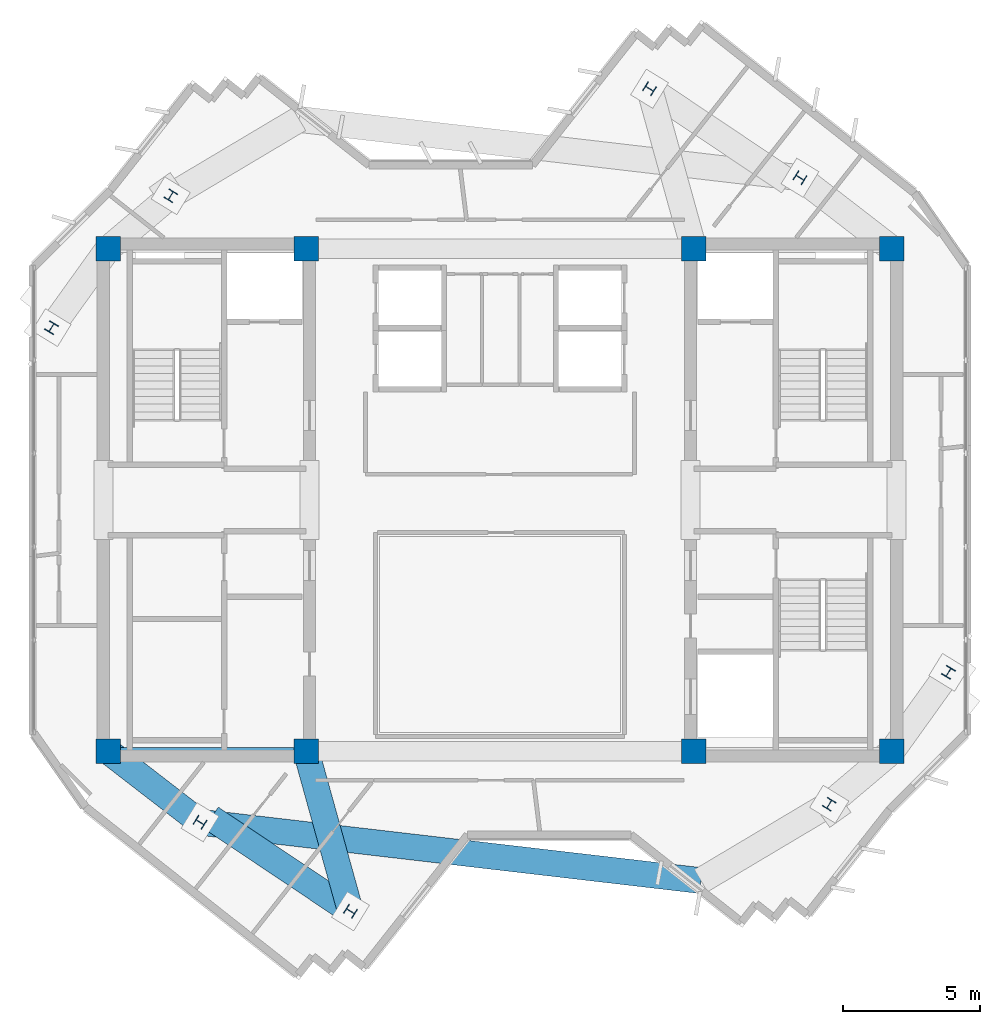
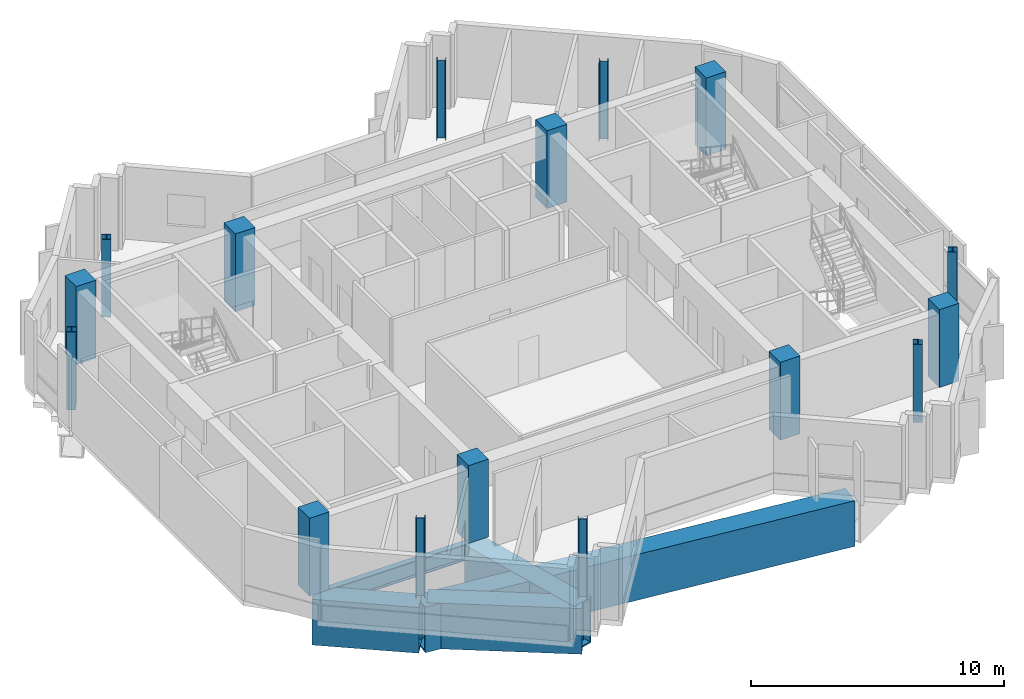
# One storey, part 1 of 10: 16 columns, 5 beams.
"""IFC4 building model written with IfcOpenShell, lengths in metres."""

from ifc_helpers import new_model, si_unit, direction, frame, origin, origin_2d, place, context, subcontext, project, spatial, rectangle, hollow_rectangle, i_section, extrude, source, transform, mapped, material, material_profile, profile_set, type_object, element, save


model = new_model("IFC4")

# Units and contexts
model_context = context("Model", 3, precision=1e-05, world=origin(), true_north=direction((0.0, 1.0)))
body_context = subcontext(model_context, "Body", "Model", "MODEL_VIEW")
ifc_project = project(units=[si_unit("LENGTHUNIT", "METRE"), si_unit("AREAUNIT", "SQUARE_METRE"), si_unit("VOLUMEUNIT", "CUBIC_METRE"), si_unit("PLANEANGLEUNIT", "RADIAN"), si_unit("MASSUNIT", "GRAM", prefix="KILO")], contexts=[model_context])

# Site, building, storey
site_placement = place(None, origin())
site = spatial("IfcSite", under=ifc_project, at=site_placement, CompositionType="ELEMENT")
building_placement = place(site_placement, origin())
building = spatial("IfcBuilding", under=site, at=building_placement, Name="Zahravan Cultural Tower", CompositionType="ELEMENT")
storey_placement = place(building_placement, frame((0.0, 0.0, 319.800048828125)))
storey = spatial("IfcBuildingStorey", under=building, at=storey_placement, Name="L77", CompositionType="ELEMENT", Elevation=319.800048828125)

# Columns
ifc_material_1 = material(Name="Steel ASTM A992 Grade 50", Category="steel")
ifc_material_profile_1 = material_profile(ifc_material_1, i_section(OverallWidth=0.3740234375, OverallDepth=0.3720703125, WebThickness=0.016357421875, FlangeThickness=0.026123046875, FilletRadius=0.01806640625, at=origin_2d()), Name="W14X132")
ifc_profile_set_1 = profile_set([ifc_material_profile_1], Name="Steel ASTM A992 Grade 50")
column_type_1 = type_object("IfcColumnType", Name="COL-W14X132", PredefinedType="COLUMN", material=ifc_profile_set_1)
shared_shape_1 = source(origin(), body_context, "Body", "SweptSolid", [
    extrude(i_section(OverallWidth=0.3740234375, OverallDepth=0.3720703125, WebThickness=0.016357421875, FlangeThickness=0.026123046875, FilletRadius=0.01806640625, at=origin_2d()), origin(), (0.0, 0.0, 1.0), 3.75),
])
for number, where, z_axis, x_axis, name in (
    (1, (46.98388671875, 38.7998046875, 0.0), (0.0, 0.0, 1.0), (0.522498564716, 0.852640164354, 0.0), "L77 Column Z4C-E1"),
    (2, (41.474853515625, 42.058349609375, 0.0), (0.0, 0.0, 1.0), (0.522498564716, 0.852640164354, 0.0), "L77 Column Z4C-E2"),
    (3, (23.944580078125, 38.140625, 0.0), (0.0, 0.0, 1.0), (-0.852640164354, 0.522498564716, 0.0), "L77 Column Z4C-N1"),
    (4, (19.577392578125, 33.310791015625, 0.0), (0.0, 0.0, 1.0), (-0.852640164354, 0.522498564716, 0.0), "L77 Column Z4C-N2"),
    (5, (25.01611328125, 15.2001953125, 0.0), (0.0, 0.0, 1.0), (0.522498564716, 0.852640164354, 0.0), "L77 Column Z4C-W1"),
    (6, (30.525146484375, 11.941650390625, 0.0), (0.0, 0.0, 1.0), (0.522498564716, 0.852640164354, 0.0), "L77 Column Z4C-W2"),
    (7, (48.055419921875, 15.859375, 0.0), (0.0, 0.0, 1.0), (-0.852640164354, 0.522498564716, 0.0), "L77 Column Z4C-S1"),
    (8, (52.422607421875, 20.689208984375, 0.0), (0.0, 0.0, 1.0), (-0.852640164354, 0.522498564716, 0.0), "L77 Column Z4C-S2"),
):
    element("IfcColumn", number, at=place(storey_placement, frame(where, z_axis=z_axis, x_axis=x_axis)), inside=storey, type_object=column_type_1, Name=name, PredefinedType="COLUMN", context=body_context, shape_type="MappedRepresentation", body=[
        mapped(shared_shape_1, transform((0.0, 0.0, 0.0), x_axis=(1.0, 0.0, 0.0), y_axis=(0.0, 1.0, 0.0), z_axis=(0.0, 0.0, 1.0), scale=1.0)),
    ])
ifc_material_2 = material(Name="Concrete C50/60", Category="concrete")
ifc_material_profile_2 = material_profile(ifc_material_2, rectangle(XDim=0.89990234375, YDim=0.89990234375, at=origin_2d()), Name="RC900X900")
ifc_profile_set_2 = profile_set([ifc_material_profile_2], Name="Concrete C50/60")
column_type_2 = type_object("IfcColumnType", Name="COL-RC900", PredefinedType="COLUMN", material=ifc_profile_set_2)
shared_shape_2 = source(origin(), body_context, "Body", "SweptSolid", [
    extrude(rectangle(XDim=0.89990234375, YDim=0.89990234375, at=origin_2d()), origin(), (0.0, 0.0, 1.0), 3.75),
])
for number, where, z_axis, x_axis, name in (
    (9, (21.64990234375, 17.800048828125, 0.0), (0.0, 0.0, 1.0), (1.0, 0.0, 0.0), "L77 Column CC-W1"),
    (10, (28.89990234375, 17.800048828125, 0.0), (0.0, 0.0, 1.0), (1.0, 0.0, 0.0), "L77 Column CC-W2"),
    (11, (21.64990234375, 36.199951171875, 0.0), (0.0, 0.0, 1.0), (1.0, 0.0, 0.0), "L77 Column CC-W3"),
    (12, (28.89990234375, 36.199951171875, 0.0), (0.0, 0.0, 1.0), (1.0, 0.0, 0.0), "L77 Column CC-W4"),
    (13, (43.10009765625, 17.800048828125, 0.0), (0.0, 0.0, 1.0), (1.0, 0.0, 0.0), "L77 Column CC-E1"),
    (14, (50.35009765625, 17.800048828125, 0.0), (0.0, 0.0, 1.0), (1.0, 0.0, 0.0), "L77 Column CC-E2"),
    (15, (43.10009765625, 36.199951171875, 0.0), (0.0, 0.0, 1.0), (1.0, 0.0, 0.0), "L77 Column CC-E3"),
    (16, (50.35009765625, 36.199951171875, 0.0), (0.0, 0.0, 1.0), (1.0, 0.0, 0.0), "L77 Column CC-E4"),
):
    element("IfcColumn", number, at=place(storey_placement, frame(where, z_axis=z_axis, x_axis=x_axis)), inside=storey, type_object=column_type_2, Name=name, PredefinedType="COLUMN", context=body_context, shape_type="MappedRepresentation", body=[
        mapped(shared_shape_2, transform((0.0, 0.0, 0.0), x_axis=(1.0, 0.0, 0.0), y_axis=(0.0, 1.0, 0.0), z_axis=(0.0, 0.0, 1.0), scale=1.0)),
    ])

# Beams
ifc_material_profile_3 = material_profile(ifc_material_1, i_section(OverallWidth=0.26611328125, OverallDepth=0.780029296875, WebThickness=0.0166015625, FlangeThickness=0.030029296875, FilletRadius=0.01904296875, at=origin_2d()), Name="W30X148")
ifc_profile_set_3 = profile_set([ifc_material_profile_3], Name="Steel ASTM A992 Grade 50")
beam_type_1 = type_object("IfcBeamType", Name="BM-G-W30X148", PredefinedType="BEAM", material=ifc_profile_set_3)
shared_shape_3 = source(origin(), body_context, "Body", "SweptSolid", [
    extrude(i_section(OverallWidth=0.26611328125, OverallDepth=0.780029296875, WebThickness=0.0166015625, FlangeThickness=0.030029296875, FilletRadius=0.01904296875, at=origin_2d()), origin(), (0.0, 0.0, 1.0), 7.25),
])
beam_1_placement = place(storey_placement, frame((21.64990234375, 17.800048828125, -0.64013671875), z_axis=(1.0, 0.0, 0.0), x_axis=(0.0, 1.0, 0.0)))
element("IfcBeam", 17, at=beam_1_placement, inside=storey, type_object=beam_type_1, Name="L77 Beam BG-L77-01", PredefinedType="BEAM", context=body_context, shape_type="MappedRepresentation", body=[
    mapped(shared_shape_3, transform((0.0, 0.0, 0.0), x_axis=(1.0, 0.0, 0.0), y_axis=(0.0, 1.0, 0.0), z_axis=(0.0, 0.0, 1.0), scale=1.0)),
])
ifc_material_3 = material(Name="Steel ASTM A572 Grade 50", Category="steel")
ifc_material_profile_4 = material_profile(ifc_material_3, hollow_rectangle(XDim=0.949951171875, YDim=2.199951171875, WallThickness=0.070068359375, at=origin_2d()), Name="BOX2200X950X70")
ifc_profile_set_4 = profile_set([ifc_material_profile_4], Name="Steel ASTM A572 Grade 50")
beam_type_2 = type_object("IfcBeamType", Name="BM-TR-BOX2200", PredefinedType="BEAM", material=ifc_profile_set_4)
shared_shape_4 = source(origin(), body_context, "Body", "SweptSolid", [
    extrude(hollow_rectangle(XDim=0.949951171875, YDim=2.199951171875, WallThickness=0.070068359375, at=origin_2d()), origin(), (0.0, 0.0, 1.0), 4.25341796875),
])
beam_2_placement = place(storey_placement, frame((21.64990234375, 17.800048828125, -1.35009765625), z_axis=(0.791433936253, -0.611254713313, 0.0), x_axis=(0.611254713313, 0.791433936253, 0.0)))
element("IfcBeam", 18, at=beam_2_placement, inside=storey, type_object=beam_type_2, Name="L77 Beam TB-L77-07", PredefinedType="BEAM", context=body_context, shape_type="MappedRepresentation", body=[
    mapped(shared_shape_4, transform((0.0, 0.0, 0.0), x_axis=(1.0, 0.0, 0.0), y_axis=(0.0, 1.0, 0.0), z_axis=(0.0, 0.0, 1.0), scale=1.0)),
])
shared_shape_5 = source(origin(), body_context, "Body", "SweptSolid", [
    extrude(hollow_rectangle(XDim=0.949951171875, YDim=2.199951171875, WallThickness=0.070068359375, at=origin_2d()), origin(), (0.0, 0.0, 1.0), 18.46533203125),
])
beam_3_placement = place(storey_placement, frame((25.01611328125, 15.2001953125, -1.35009765625), z_axis=(0.993277892432, -0.1157541723, 0.0), x_axis=(0.1157541723, 0.993277892432, 0.0)))
element("IfcBeam", 19, at=beam_3_placement, inside=storey, type_object=beam_type_2, Name="L77 Beam TB-L77-09", PredefinedType="BEAM", context=body_context, shape_type="MappedRepresentation", body=[
    mapped(shared_shape_5, transform((0.0, 0.0, 0.0), x_axis=(1.0, 0.0, 0.0), y_axis=(0.0, 1.0, 0.0), z_axis=(0.0, 0.0, 1.0), scale=1.0)),
])
shared_shape_6 = source(origin(), body_context, "Body", "SweptSolid", [
    extrude(hollow_rectangle(XDim=0.949951171875, YDim=2.199951171875, WallThickness=0.070068359375, at=origin_2d()), origin(), (0.0, 0.0, 1.0), 6.07958984375),
])
beam_4_placement = place(storey_placement, frame((28.89990234375, 17.800048828125, -1.35009765625), z_axis=(0.267324894686, -0.963606455292, 0.0), x_axis=(0.963606455292, 0.267324894686, 0.0)))
element("IfcBeam", 20, at=beam_4_placement, inside=storey, type_object=beam_type_2, Name="L77 Beam TB-L77-10", PredefinedType="BEAM", context=body_context, shape_type="MappedRepresentation", body=[
    mapped(shared_shape_6, transform((0.0, 0.0, 0.0), x_axis=(1.0, 0.0, 0.0), y_axis=(0.0, 1.0, 0.0), z_axis=(0.0, 0.0, 1.0), scale=1.0)),
])
shared_shape_7 = source(origin(), body_context, "Body", "SweptSolid", [
    extrude(hollow_rectangle(XDim=0.949951171875, YDim=2.199951171875, WallThickness=0.070068359375, at=origin_2d()), origin(), (0.0, 0.0, 1.0), 6.141845703125),
])
beam_5_placement = place(storey_placement, frame((30.525146484375, 11.941650390625, -1.35009765625), z_axis=(-0.830868122194, 0.55646937339, 0.0), x_axis=(-0.55646937339, -0.830868122194, 0.0)))
element("IfcBeam", 21, at=beam_5_placement, inside=storey, type_object=beam_type_2, Name="L77 Beam TB-L77-11", PredefinedType="BEAM", context=body_context, shape_type="MappedRepresentation", body=[
    mapped(shared_shape_7, transform((0.0, 0.0, 0.0), x_axis=(1.0, 0.0, 0.0), y_axis=(0.0, 1.0, 0.0), z_axis=(0.0, 0.0, 1.0), scale=1.0)),
])

save(model, "model.ifc")
